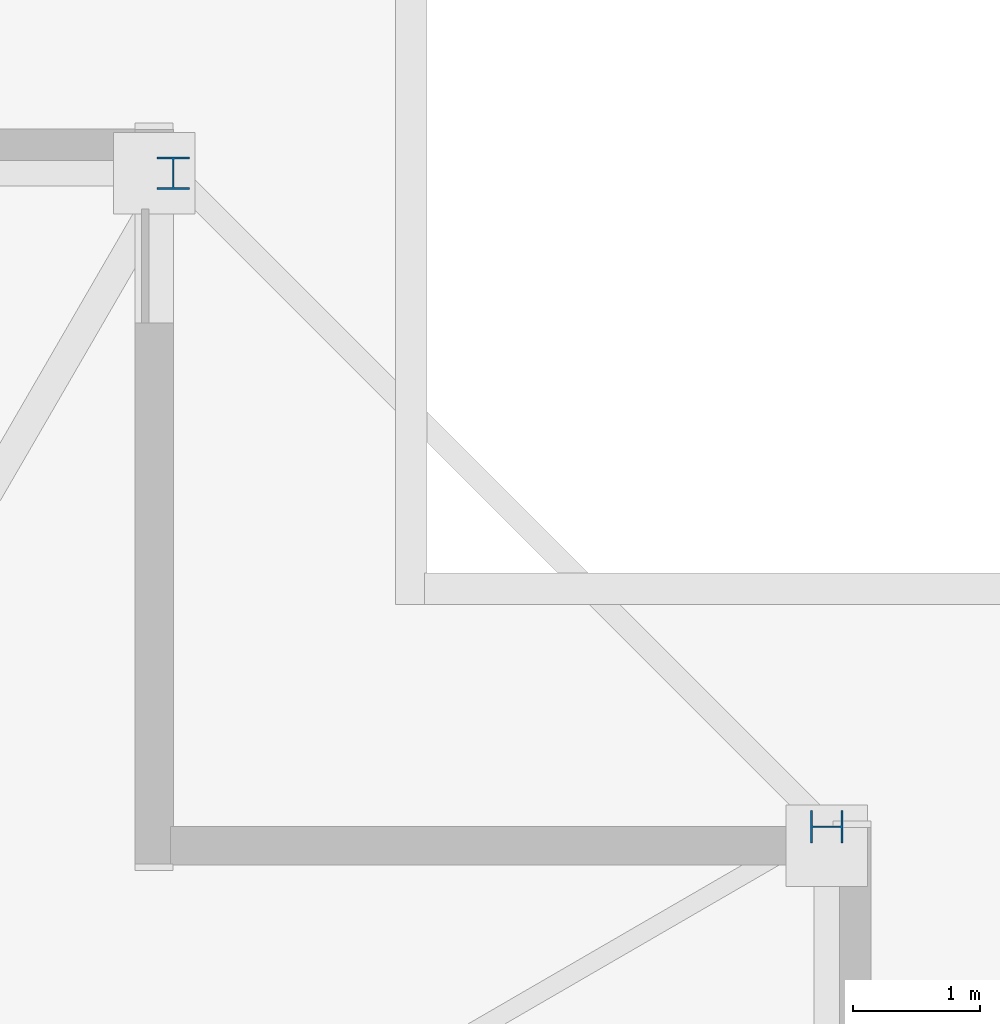
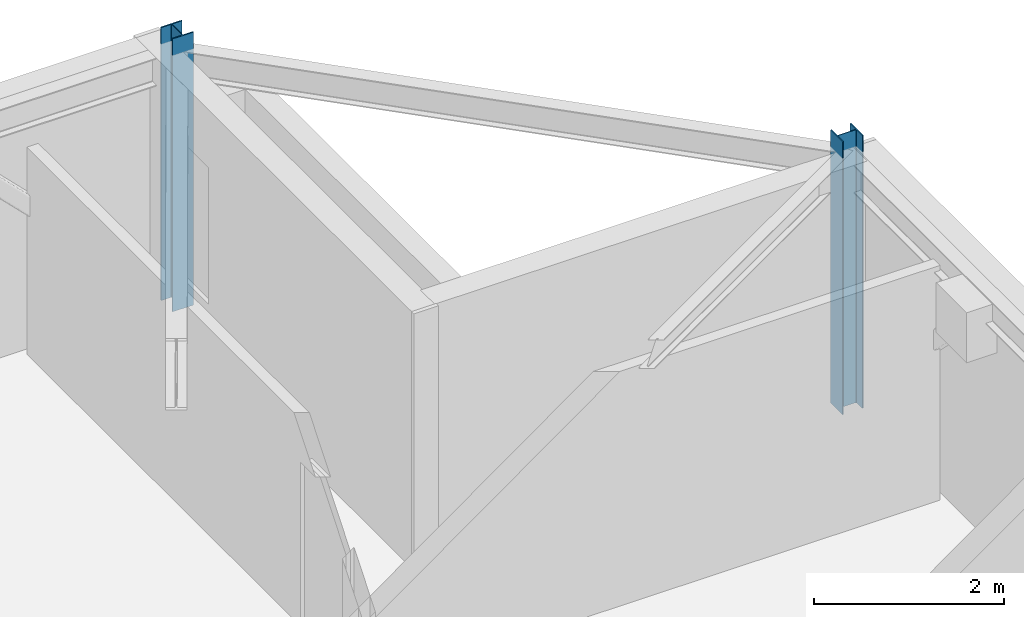
# One storey, part 5 of 15: 2 columns.
"""IFC4 building model written with IfcOpenShell, lengths in metres."""

from ifc_helpers import new_model, si_unit, direction, frame, origin, origin_2d, place, context, subcontext, project, spatial, i_section, extrude, material, material_profile, profile_set, type_object, element, save


model = new_model("IFC4")

# Units and contexts
model_context = context("Model", 3, precision=1e-05, world=origin(), true_north=direction((0.0, 1.0)))
body_context = subcontext(model_context, "Body", "Model", "MODEL_VIEW")
ifc_project = project(units=[si_unit("LENGTHUNIT", "METRE"), si_unit("AREAUNIT", "SQUARE_METRE"), si_unit("VOLUMEUNIT", "CUBIC_METRE"), si_unit("PLANEANGLEUNIT", "RADIAN"), si_unit("MASSUNIT", "GRAM", prefix="KILO")], contexts=[model_context])

# Site, building, storey
site_placement = place(None, origin())
site = spatial("IfcSite", under=ifc_project, at=site_placement, CompositionType="ELEMENT")
building_placement = place(site_placement, origin())
building = spatial("IfcBuilding", under=site, at=building_placement, Name="Cairnveth Concourse Tower", CompositionType="ELEMENT")
storey_placement = place(building_placement, frame((0.0, 0.0, 280.5)))
storey = spatial("IfcBuildingStorey", under=building, at=storey_placement, Name="L77", CompositionType="ELEMENT", Elevation=280.5)

# Columns
ifc_material = material(Name="Steel Grade 350", Category="steel")
ifc_material_profile = material_profile(ifc_material, i_section(OverallWidth=0.25390625, OverallDepth=0.25390625, WebThickness=0.008544921875, FlangeThickness=0.01416015625, FilletRadius=0.012939453125, at=origin_2d()), Name="250UC72.9")
ifc_profile_set = profile_set([ifc_material_profile], Name="Steel Grade 350")
column_type = type_object("IfcColumnType", Name="UNIVERSAL STEEL COLUMN 250UC72.9", PredefinedType="COLUMN", material=ifc_profile_set)
for number, where, z_axis, x_axis, name in (
    (1, (72.64990234375, 54.5, 0.0), (0.0, 0.0, 1.0), (0.0, 1.0, 0.0), "Column P-E4 L77"),
    (2, (67.5, 59.64990234375, 0.0), (0.0, 0.0, 1.0), (1.0, 0.0, 0.0), "Column P-N1 L77"),
):
    element("IfcColumn", number, at=place(storey_placement, frame(where, z_axis=z_axis, x_axis=x_axis)), inside=storey, type_object=column_type, Name=name, PredefinedType="COLUMN", context=body_context, shape_type="SweptSolid", body=[
        extrude(i_section(OverallWidth=0.25390625, OverallDepth=0.25390625, WebThickness=0.008544921875, FlangeThickness=0.01416015625, FilletRadius=0.012939453125, at=origin_2d()), origin(), (0.0, 0.0, 1.0), 3.5),
    ])

save(model, "model.ifc")
